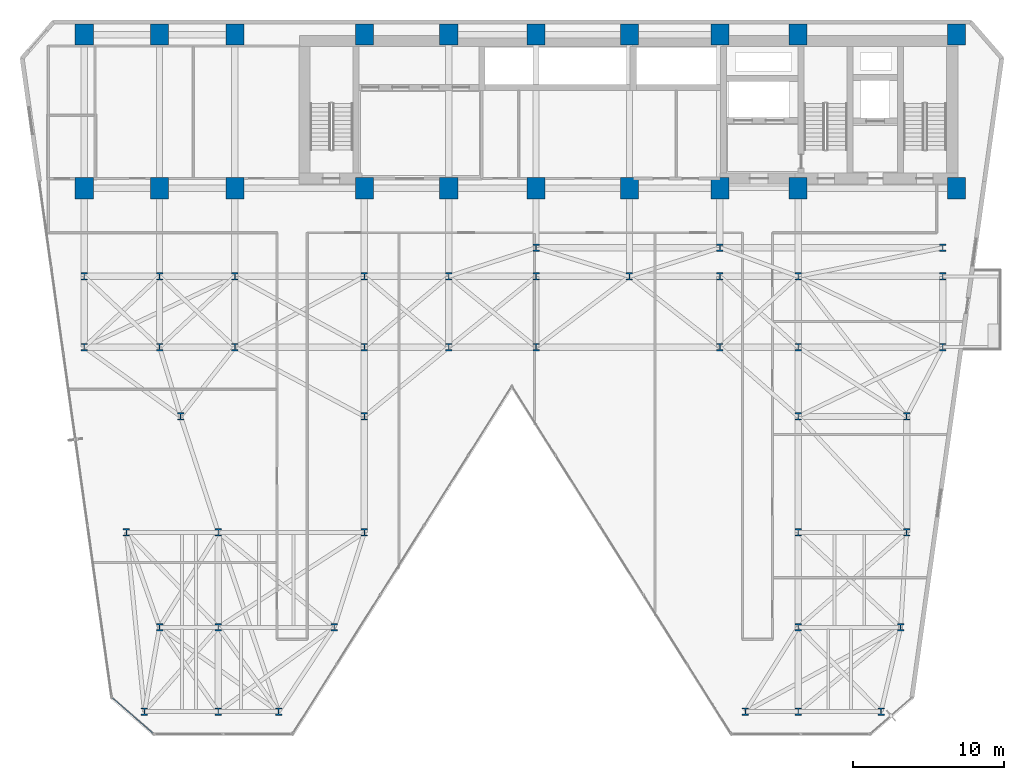
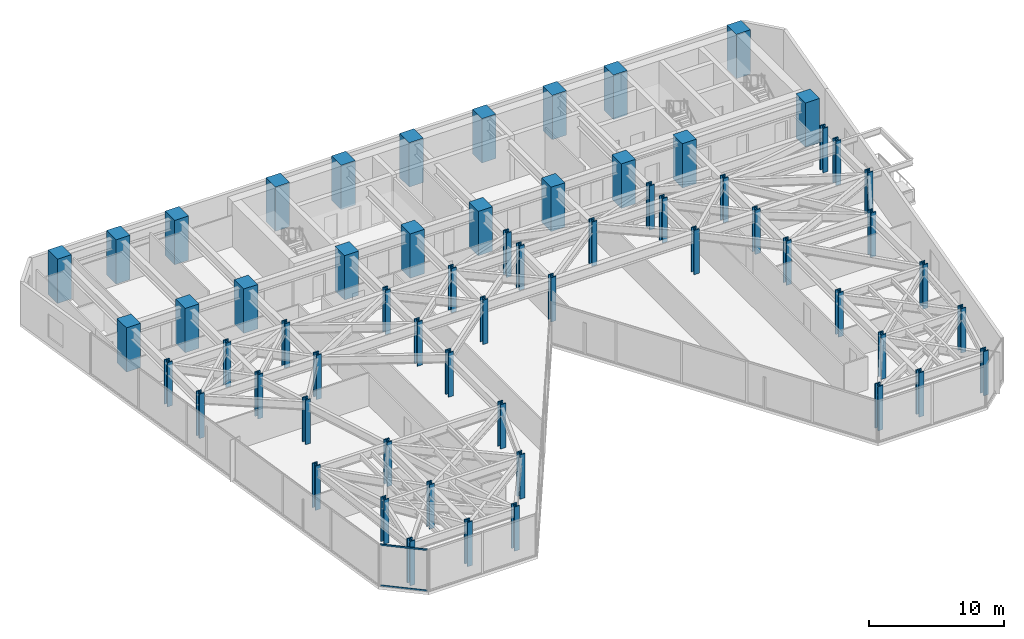
# One storey, part 1 of 25: 62 columns, 2 members, 1 element without a shape of its own.
"""IFC4 building model written with IfcOpenShell, lengths in metres."""

from ifc_helpers import new_model, si_unit, direction, frame, origin, origin_2d, place, context, subcontext, project, spatial, rectangle, hollow_rectangle, i_section, extrude, material, layer, layer_set, material_profile, profile_set, type_object, element, aggregate, save


model = new_model("IFC4")

# Units and contexts
model_context = context("Model", 3, precision=1e-05, world=origin(), true_north=direction((0.0, 1.0)))
body_context = subcontext(model_context, "Body", "Model", "MODEL_VIEW")
ifc_project = project(units=[si_unit("LENGTHUNIT", "METRE"), si_unit("AREAUNIT", "SQUARE_METRE"), si_unit("VOLUMEUNIT", "CUBIC_METRE"), si_unit("PLANEANGLEUNIT", "RADIAN"), si_unit("MASSUNIT", "GRAM", prefix="KILO")], contexts=[model_context])

# Site, building, storey
site_placement = place(None, origin())
site = spatial("IfcSite", under=ifc_project, at=site_placement, CompositionType="ELEMENT")
building_placement = place(site_placement, origin())
building = spatial("IfcBuilding", under=site, at=building_placement, Name="Kravanh Interchange Tower", CompositionType="ELEMENT")
storey_placement = place(building_placement, frame((0.0, 0.0, 73.5)))
storey = spatial("IfcBuildingStorey", under=building, at=storey_placement, Name="L17", CompositionType="ELEMENT", Elevation=73.5)

# Columns
ifc_material_1 = material(Name="Concrete C70/85", Category="concrete")
ifc_material_profile_1 = material_profile(ifc_material_1, rectangle(XDim=1.199951171875, YDim=1.39990234375, at=origin_2d()), Name="RC1200X1400")
ifc_profile_set_1 = profile_set([ifc_material_profile_1], Name="Concrete C70/85")
column_type_1 = type_object("IfcColumnType", Name="Column RC1200X1400 Concrete C70/85", PredefinedType="COLUMN", material=ifc_profile_set_1)
for number, where, z_axis, x_axis, name in (
    (1, (66.5, 47.550048828125, 0.0), (0.0, 0.0, 1.0), (1.0, 0.0, 0.0), "L17 Column CS01"),
    (2, (56.0, 47.550048828125, 0.0), (0.0, 0.0, 1.0), (1.0, 0.0, 0.0), "L17 Column CS02"),
    (3, (66.5, 37.35009765625, 0.0), (0.0, 0.0, 1.0), (1.0, 0.0, 0.0), "L17 Column CS03"),
    (4, (56.0, 37.35009765625, 0.0), (0.0, 0.0, 1.0), (1.0, 0.0, 0.0), "L17 Column CS04"),
    (5, (50.800048828125, 47.550048828125, 0.0), (0.0, 0.0, 1.0), (1.0, 0.0, 0.0), "L17 Column CS05"),
    (6, (50.800048828125, 37.35009765625, 0.0), (0.0, 0.0, 1.0), (1.0, 0.0, 0.0), "L17 Column CS06"),
    (7, (44.800048828125, 37.35009765625, 0.0), (0.0, 0.0, 1.0), (1.0, 0.0, 0.0), "L17 Column CS07"),
    (8, (44.800048828125, 47.550048828125, 0.0), (0.0, 0.0, 1.0), (1.0, 0.0, 0.0), "L17 Column CS08"),
    (9, (38.60009765625, 37.35009765625, 0.0), (0.0, 0.0, 1.0), (1.0, 0.0, 0.0), "L17 Column CS09"),
    (10, (38.60009765625, 47.550048828125, 0.0), (0.0, 0.0, 1.0), (1.0, 0.0, 0.0), "L17 Column CS10"),
    (11, (32.800048828125, 37.35009765625, 0.0), (0.0, 0.0, 1.0), (1.0, 0.0, 0.0), "L17 Column CS11"),
    (12, (32.800048828125, 47.550048828125, 0.0), (0.0, 0.0, 1.0), (1.0, 0.0, 0.0), "L17 Column CS12"),
    (13, (27.199951171875, 37.35009765625, 0.0), (0.0, 0.0, 1.0), (1.0, 0.0, 0.0), "L17 Column CS13"),
    (14, (27.199951171875, 47.550048828125, 0.0), (0.0, 0.0, 1.0), (1.0, 0.0, 0.0), "L17 Column CS14"),
    (15, (18.60009765625, 37.35009765625, 0.0), (0.0, 0.0, 1.0), (1.0, 0.0, 0.0), "L17 Column CS17"),
    (16, (18.60009765625, 47.550048828125, 0.0), (0.0, 0.0, 1.0), (1.0, 0.0, 0.0), "L17 Column CS18"),
    (17, (13.60009765625, 37.35009765625, 0.0), (0.0, 0.0, 1.0), (1.0, 0.0, 0.0), "L17 Column CS19"),
    (18, (13.60009765625, 47.550048828125, 0.0), (0.0, 0.0, 1.0), (1.0, 0.0, 0.0), "L17 Column CS20"),
    (19, (8.60009765625, 37.35009765625, 0.0), (0.0, 0.0, 1.0), (1.0, 0.0, 0.0), "L17 Column CS21"),
    (20, (8.60009765625, 47.550048828125, 0.0), (0.0, 0.0, 1.0), (1.0, 0.0, 0.0), "L17 Column CS22"),
):
    element("IfcColumn", number, at=place(storey_placement, frame(where, z_axis=z_axis, x_axis=x_axis)), inside=storey, type_object=column_type_1, Name=name, PredefinedType="COLUMN", context=body_context, shape_type="SweptSolid", body=[
        extrude(rectangle(XDim=1.199951171875, YDim=1.39990234375, at=origin_2d()), origin(), (0.0, 0.0, 1.0), 4.0),
    ])
ifc_material_2 = material(Name="Structural Steel S450", Category="steel")
ifc_material_profile_2 = material_profile(ifc_material_2, i_section(OverallWidth=0.431884765625, OverallDepth=0.498046875, WebThickness=0.0556640625, FlangeThickness=0.0888671875, FilletRadius=0.030029296875, at=origin_2d()), Name="W14X500")
ifc_profile_set_2 = profile_set([ifc_material_profile_2], Name="Structural Steel S450")
column_type_2 = type_object("IfcColumnType", Name="Column W14X500 Structural Steel S450", PredefinedType="COLUMN", material=ifc_profile_set_2)
for number, where, z_axis, x_axis, name in (
    (21, (12.60009765625, 2.60009765625, 0.0), (0.0, 0.0, 1.0), (1.0, 0.0, 0.0), "L17 Column CZ1_1"),
    (22, (56.0, 14.5, 0.0), (0.0, 0.0, 1.0), (1.0, 0.0, 0.0), "L17 Column CZ1_10"),
    (23, (63.199951171875, 14.5, 0.0), (0.0, 0.0, 1.0), (1.0, 0.0, 0.0), "L17 Column CZ1_11"),
    (24, (15.0, 22.199951171875, 0.0), (0.0, 0.0, 1.0), (1.0, 0.0, 0.0), "L17 Column CZ1_11B"),
    (25, (27.199951171875, 22.199951171875, 0.0), (0.0, 0.0, 1.0), (1.0, 0.0, 0.0), "L17 Column CZ1_11C"),
    (26, (56.0, 22.199951171875, 0.0), (0.0, 0.0, 1.0), (1.0, 0.0, 0.0), "L17 Column CZ1_11D"),
    (27, (63.199951171875, 22.199951171875, 0.0), (0.0, 0.0, 1.0), (1.0, 0.0, 0.0), "L17 Column CZ1_11E"),
    (28, (8.60009765625, 26.800048828125, 0.0), (0.0, 0.0, 1.0), (1.0, 0.0, 0.0), "L17 Column CZ1_12"),
    (29, (13.60009765625, 26.800048828125, 0.0), (0.0, 0.0, 1.0), (1.0, 0.0, 0.0), "L17 Column CZ1_13"),
    (30, (18.60009765625, 26.800048828125, 0.0), (0.0, 0.0, 1.0), (1.0, 0.0, 0.0), "L17 Column CZ1_14"),
    (31, (27.199951171875, 26.800048828125, 0.0), (0.0, 0.0, 1.0), (1.0, 0.0, 0.0), "L17 Column CZ1_15"),
    (32, (32.800048828125, 26.800048828125, 0.0), (0.0, 0.0, 1.0), (1.0, 0.0, 0.0), "L17 Column CZ1_16"),
    (33, (38.60009765625, 26.800048828125, 0.0), (0.0, 0.0, 1.0), (1.0, 0.0, 0.0), "L17 Column CZ1_16B"),
    (34, (50.800048828125, 26.800048828125, 0.0), (0.0, 0.0, 1.0), (1.0, 0.0, 0.0), "L17 Column CZ1_17"),
    (35, (56.0, 26.800048828125, 0.0), (0.0, 0.0, 1.0), (1.0, 0.0, 0.0), "L17 Column CZ1_18"),
    (36, (65.60009765625, 26.800048828125, 0.0), (0.0, 0.0, 1.0), (1.0, 0.0, 0.0), "L17 Column CZ1_19"),
    (37, (8.60009765625, 31.5, 0.0), (0.0, 0.0, 1.0), (1.0, 0.0, 0.0), "L17 Column CZ1_19B"),
    (38, (13.60009765625, 31.5, 0.0), (0.0, 0.0, 1.0), (1.0, 0.0, 0.0), "L17 Column CZ1_19C"),
    (39, (17.5, 2.60009765625, 0.0), (0.0, 0.0, 1.0), (1.0, 0.0, 0.0), "L17 Column CZ1_2"),
    (40, (18.60009765625, 31.5, 0.0), (0.0, 0.0, 1.0), (1.0, 0.0, 0.0), "L17 Column CZ1_20"),
    (41, (27.199951171875, 31.5, 0.0), (0.0, 0.0, 1.0), (1.0, 0.0, 0.0), "L17 Column CZ1_21"),
    (42, (32.800048828125, 31.5, 0.0), (0.0, 0.0, 1.0), (1.0, 0.0, 0.0), "L17 Column CZ1_22"),
    (43, (38.60009765625, 31.5, 0.0), (0.0, 0.0, 1.0), (1.0, 0.0, 0.0), "L17 Column CZ1_23"),
    (44, (44.800048828125, 31.5, 0.0), (0.0, 0.0, 1.0), (1.0, 0.0, 0.0), "L17 Column CZ1_24"),
    (45, (50.800048828125, 31.5, 0.0), (0.0, 0.0, 1.0), (1.0, 0.0, 0.0), "L17 Column CZ1_25"),
    (46, (56.0, 31.5, 0.0), (0.0, 0.0, 1.0), (1.0, 0.0, 0.0), "L17 Column CZ1_26"),
    (47, (65.60009765625, 31.5, 0.0), (0.0, 0.0, 1.0), (1.0, 0.0, 0.0), "L17 Column CZ1_27"),
    (48, (21.5, 2.60009765625, 0.0), (0.0, 0.0, 1.0), (1.0, 0.0, 0.0), "L17 Column CZ1_3"),
    (49, (52.5, 2.60009765625, 0.0), (0.0, 0.0, 1.0), (1.0, 0.0, 0.0), "L17 Column CZ1_4"),
    (50, (56.0, 2.60009765625, 0.0), (0.0, 0.0, 1.0), (1.0, 0.0, 0.0), "L17 Column CZ1_5"),
    (51, (61.5, 2.60009765625, 0.0), (0.0, 0.0, 1.0), (1.0, 0.0, 0.0), "L17 Column CZ1_5B"),
    (52, (13.60009765625, 8.199951171875, 0.0), (0.0, 0.0, 1.0), (1.0, 0.0, 0.0), "L17 Column CZ1_6"),
    (53, (17.5, 8.199951171875, 0.0), (0.0, 0.0, 1.0), (1.0, 0.0, 0.0), "L17 Column CZ1_6B"),
    (54, (25.199951171875, 8.199951171875, 0.0), (0.0, 0.0, 1.0), (1.0, 0.0, 0.0), "L17 Column CZ1_6C"),
    (55, (56.0, 8.199951171875, 0.0), (0.0, 0.0, 1.0), (1.0, 0.0, 0.0), "L17 Column CZ1_6D"),
    (56, (62.800048828125, 8.199951171875, 0.0), (0.0, 0.0, 1.0), (1.0, 0.0, 0.0), "L17 Column CZ1_6E"),
    (57, (11.39990234375, 14.5, 0.0), (0.0, 0.0, 1.0), (1.0, 0.0, 0.0), "L17 Column CZ1_7"),
    (58, (17.5, 14.5, 0.0), (0.0, 0.0, 1.0), (1.0, 0.0, 0.0), "L17 Column CZ1_7B"),
    (59, (27.199951171875, 14.5, 0.0), (0.0, 0.0, 1.0), (1.0, 0.0, 0.0), "L17 Column CZ1_8"),
    (60, (38.60009765625, 33.39990234375, 0.0), (0.0, 0.0, 1.0), (1.0, 0.0, 0.0), "L17 Column CZ1_M1"),
    (61, (50.800048828125, 33.39990234375, 0.0), (0.0, 0.0, 1.0), (1.0, 0.0, 0.0), "L17 Column CZ1_M2"),
    (62, (65.60009765625, 33.39990234375, 0.0), (0.0, 0.0, 1.0), (1.0, 0.0, 0.0), "L17 Column CZ1_M3"),
):
    element("IfcColumn", number, at=place(storey_placement, frame(where, z_axis=z_axis, x_axis=x_axis)), inside=storey, type_object=column_type_2, Name=name, PredefinedType="COLUMN", context=body_context, shape_type="SweptSolid", body=[
        extrude(i_section(OverallWidth=0.431884765625, OverallDepth=0.498046875, WebThickness=0.0556640625, FlangeThickness=0.0888671875, FilletRadius=0.030029296875, at=origin_2d()), origin(), (0.0, 0.0, 1.0), 4.0),
    ])

# Curtain wall, members
ifc_material_3 = material(Name="Anodised Bronze Aluminium", Category="aluminium")
ifc_layer = layer(ifc_material_3, 0.179931640625)
ifc_layer_set = layer_set([ifc_layer], Name="Unitised Curtain Wall System CW-Z1 Lower Office")
curtain_wall_type = type_object("IfcCurtainWallType", Name="Unitised Curtain Wall System CW-Z1 Lower Office", PredefinedType="NOTDEFINED", material=ifc_layer_set)
curtain_wall_placement = place(storey_placement, origin())
curtain_wall = element("IfcCurtainWall", 63, at=curtain_wall_placement, inside=storey, type_object=curtain_wall_type, Name="L17 Unitised Curtain Wall CW-L17-07", PredefinedType="NOTDEFINED")
ifc_material_4 = material(Name="Anodised Bronze Aluminium", Category="aluminium")
ifc_material_profile_3 = material_profile(ifc_material_4, hollow_rectangle(XDim=0.06005859375, YDim=0.139892578125, WallThickness=0.00390625, at=origin_2d()), Name="ALU60X140X4")
ifc_profile_set_3 = profile_set([ifc_material_profile_3], Name="Anodised Bronze Aluminium")
member_type = type_object("IfcMemberType", Name="Curtain Wall Transom ALU60X140X4 Bronze", PredefinedType="USERDEFINED", material=ifc_profile_set_3)
member_1_placement = place(storey_placement, frame((13.167724609375, 1.166015625, 0.030029296875), z_axis=(-0.754710815466, 0.656057608004, 0.0), x_axis=(-0.656057608004, -0.754710815466, 0.0)))
member_1 = element("IfcMember", 64, at=member_1_placement, type_object=member_type, Name="CW-Z1 transom 1.1", ObjectType="TRANSOM", PredefinedType="USERDEFINED", context=body_context, shape_type="SweptSolid", body=[
    extrude(hollow_rectangle(XDim=0.06005859375, YDim=0.139892578125, WallThickness=0.00390625, at=origin_2d()), origin(), (0.0, 0.0, 1.0), 3.543701171875),
])
member_2_placement = place(storey_placement, frame((13.167724609375, 1.166015625, 3.7099609375), z_axis=(-0.754710815466, 0.656057608004, 0.0), x_axis=(-0.656057608004, -0.754710815466, 0.0)))
member_2 = element("IfcMember", 65, at=member_2_placement, type_object=member_type, Name="CW-Z1 transom 1.2", ObjectType="TRANSOM", PredefinedType="USERDEFINED", context=body_context, shape_type="SweptSolid", body=[
    extrude(hollow_rectangle(XDim=0.06005859375, YDim=0.139892578125, WallThickness=0.00390625, at=origin_2d()), origin(), (0.0, 0.0, 1.0), 3.543701171875),
])
aggregate(curtain_wall, [member_1, member_2])

save(model, "model.ifc")
